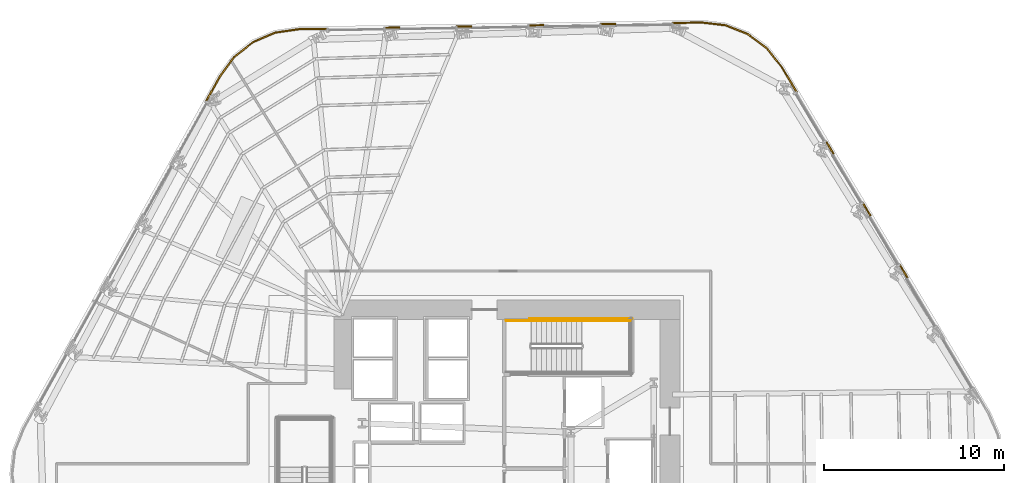
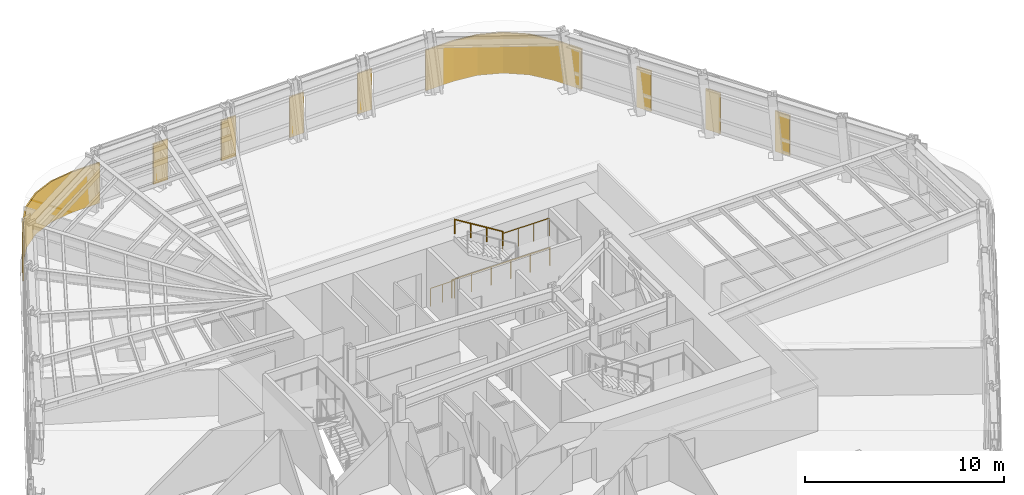
# One storey, part 14 of 15: 9 coverings, 4 railings.
"""IFC4 building model written with IfcOpenShell, lengths in metres."""

from ifc_helpers import new_model, si_unit, direction, frame, origin, origin_2d, place, context, subcontext, project, spatial, polyline, circle, outline, extrude, material, layer, layer_set, type_object, element, save


model = new_model("IFC4")

# Units and contexts
model_context = context("Model", 3, precision=1e-05, world=origin(), true_north=direction((0.0, 1.0)))
body_context = subcontext(model_context, "Body", "Model", "MODEL_VIEW")
ifc_project = project(units=[si_unit("LENGTHUNIT", "METRE"), si_unit("AREAUNIT", "SQUARE_METRE"), si_unit("VOLUMEUNIT", "CUBIC_METRE"), si_unit("PLANEANGLEUNIT", "RADIAN"), si_unit("MASSUNIT", "GRAM", prefix="KILO")], contexts=[model_context])

# Site, building, storey
site_placement = place(None, origin())
site = spatial("IfcSite", under=ifc_project, at=site_placement, CompositionType="ELEMENT")
building_placement = place(site_placement, origin())
building = spatial("IfcBuilding", under=site, at=building_placement, Name="Valkerne Bourse Tower", CompositionType="ELEMENT")
storey_placement = place(building_placement, frame((0.0, 0.0, 27.800048828125)))
storey = spatial("IfcBuildingStorey", under=building, at=storey_placement, Name="L06", CompositionType="ELEMENT", Elevation=27.800048828125)

# Coverings
ifc_material_1 = material(Name="Bronze Anodised Aluminium AA 6063-T6", Category="aluminium")
ifc_layer = layer(ifc_material_1, 0.06005859375)
ifc_layer_set = layer_set([ifc_layer], Name="Bronze Anodised Aluminium AA 6063-T6")
covering_type = type_object("IfcCoveringType", Name="COV-CRN-ALUM", PredefinedType="CLADDING", material=ifc_layer_set)
covering_1_placement = place(storey_placement, origin())
element("IfcCovering", 1, at=covering_1_placement, inside=storey, type_object=covering_type, Name="L06 Wind-Shaped Corner Aluminium Cladding 16", PredefinedType="CLADDING", context=body_context, shape_type="SweptSolid", body=[
    extrude(outline(polyline([(30.839599609375, 48.69140625), (31.63720703125, 49.765380859375), (32.680419921875, 50.59228515625), (33.902099609375, 51.120849609375), (35.2255859375, 51.31640625), (36.846435546875, 51.34326171875), (36.84765625, 51.26318359375), (35.23193359375, 51.236328125), (33.924072265625, 51.043212890625), (32.7216796875, 50.52294921875), (31.695068359375, 49.709228515625), (30.90673828125, 48.64794921875), (30.11962890625, 47.23681640625), (30.0498046875, 47.275634765625), (30.839599609375, 48.69140625)])), origin(), (0.0, 0.0, 1.0), 2.5),
])
covering_2_placement = place(storey_placement, origin())
element("IfcCovering", 2, at=covering_2_placement, inside=storey, type_object=covering_type, Name="L06 Wind-Shaped Corner Aluminium Cladding 17", PredefinedType="CLADDING", context=body_context, shape_type="SweptSolid", body=[
    extrude(outline(polyline([(40.841796875, 51.40966796875), (40.843017578125, 51.32958984375), (40.00341796875, 51.315673828125), (40.001953125, 51.395751953125), (40.841796875, 51.40966796875)])), origin(), (0.0, 0.0, 1.0), 2.5),
])
covering_3_placement = place(storey_placement, origin())
element("IfcCovering", 3, at=covering_3_placement, inside=storey, type_object=covering_type, Name="L06 Wind-Shaped Corner Aluminium Cladding 18", PredefinedType="CLADDING", context=body_context, shape_type="SweptSolid", body=[
    extrude(outline(polyline([(44.83740234375, 51.47607421875), (44.838623046875, 51.39599609375), (43.998779296875, 51.382080078125), (43.997314453125, 51.4619140625), (44.83740234375, 51.47607421875)])), origin(), (0.0, 0.0, 1.0), 2.5),
])
covering_4_placement = place(storey_placement, origin())
element("IfcCovering", 4, at=covering_4_placement, inside=storey, type_object=covering_type, Name="L06 Wind-Shaped Corner Aluminium Cladding 19", PredefinedType="CLADDING", context=body_context, shape_type="SweptSolid", body=[
    extrude(outline(polyline([(48.832763671875, 51.542236328125), (48.833984375, 51.46240234375), (47.994140625, 51.448486328125), (47.992919921875, 51.5283203125), (48.832763671875, 51.542236328125)])), origin(), (0.0, 0.0, 1.0), 2.5),
])
covering_5_placement = place(storey_placement, origin())
element("IfcCovering", 5, at=covering_5_placement, inside=storey, type_object=covering_type, Name="L06 Wind-Shaped Corner Aluminium Cladding 20", PredefinedType="CLADDING", context=body_context, shape_type="SweptSolid", body=[
    extrude(outline(polyline([(52.828125, 51.608642578125), (52.82958984375, 51.52880859375), (51.989501953125, 51.5146484375), (51.98828125, 51.5947265625), (52.828125, 51.608642578125)])), origin(), (0.0, 0.0, 1.0), 2.5),
])
covering_6_placement = place(storey_placement, origin())
element("IfcCovering", 6, at=covering_6_placement, inside=storey, type_object=covering_type, Name="L06 Wind-Shaped Corner Aluminium Cladding 21", PredefinedType="CLADDING", context=body_context, shape_type="SweptSolid", body=[
    extrude(outline(polyline([(57.616455078125, 51.688232421875), (58.9453125, 51.534423828125), (60.182861328125, 51.04443359375), (61.251708984375, 50.250732421875), (62.08251953125, 49.202392578125), (62.919921875, 47.800537109375), (62.851318359375, 47.759521484375), (62.0166015625, 49.156982421875), (61.195556640625, 50.19287109375), (60.143798828125, 50.97412109375), (58.92578125, 51.456298828125), (57.612548828125, 51.608154296875), (55.985107421875, 51.5810546875), (55.98388671875, 51.6611328125), (57.616455078125, 51.688232421875)])), origin(), (0.0, 0.0, 1.0), 2.5),
])
covering_7_placement = place(storey_placement, origin())
element("IfcCovering", 7, at=covering_7_placement, inside=storey, type_object=covering_type, Name="L06 Wind-Shaped Corner Aluminium Cladding 22", PredefinedType="CLADDING", context=body_context, shape_type="SweptSolid", body=[
    extrude(outline(polyline([(64.968994140625, 44.369873046875), (64.900146484375, 44.328857421875), (64.469482421875, 45.050048828125), (64.5380859375, 45.091064453125), (64.968994140625, 44.369873046875)])), origin(), (0.0, 0.0, 1.0), 2.5),
])
covering_8_placement = place(storey_placement, origin())
element("IfcCovering", 8, at=covering_8_placement, inside=storey, type_object=covering_type, Name="L06 Wind-Shaped Corner Aluminium Cladding 23", PredefinedType="CLADDING", context=body_context, shape_type="SweptSolid", body=[
    extrude(outline(polyline([(67.017822265625, 40.939208984375), (66.94921875, 40.898193359375), (66.5185546875, 41.619140625), (66.587158203125, 41.660400390625), (67.017822265625, 40.939208984375)])), origin(), (0.0, 0.0, 1.0), 2.5),
])
covering_9_placement = place(storey_placement, origin())
element("IfcCovering", 9, at=covering_9_placement, inside=storey, type_object=covering_type, Name="L06 Wind-Shaped Corner Aluminium Cladding 24", PredefinedType="CLADDING", context=body_context, shape_type="SweptSolid", body=[
    extrude(outline(polyline([(69.06689453125, 37.508544921875), (68.998291015625, 37.46728515625), (68.5673828125, 38.188720703125), (68.63623046875, 38.229736328125), (69.06689453125, 37.508544921875)])), origin(), (0.0, 0.0, 1.0), 2.5),
])

# Railings
ifc_material_2 = material(Name="Galvanised Painted Steel", Category="steel")
railing_type_1 = type_object("IfcRailingType", Name="RLG-ST-GUARD-1120", PredefinedType="GUARDRAIL", material=ifc_material_2)
railing_1_placement = place(storey_placement, frame((50.949951171875, 35.10009765625, 1.89990234375)))
element("IfcRailing", 10, at=railing_1_placement, inside=storey, type_object=railing_type_1, Name="L06 ST-2 stair guard 4", PredefinedType="GUARDRAIL", context=body_context, shape_type="SweptSolid", body=[
    extrude(circle(Radius=0.02392578125, at=origin_2d()), frame((0.0, 0.0, 1.09619140625), z_axis=(1.0, 0.0, 0.0), x_axis=(0.0, 1.0, 0.0)), (0.0, 0.0, 1.0), 2.699951171875),
    extrude(circle(Radius=0.02099609375, at=origin_2d()), origin(), (0.0, 0.0, 1.0), 1.072021484375),
    extrude(circle(Radius=0.02099609375, at=origin_2d()), frame((0.89990234375, 0.0, 0.0)), (0.0, 0.0, 1.0), 1.072021484375),
    extrude(circle(Radius=0.02099609375, at=origin_2d()), frame((1.800048828125, 0.0, 0.0)), (0.0, 0.0, 1.0), 1.072021484375),
    extrude(circle(Radius=0.02099609375, at=origin_2d()), frame((2.699951171875, 0.0, 0.0)), (0.0, 0.0, 1.0), 1.072021484375),
])
railing_2_placement = place(storey_placement, frame((46.75, 35.10009765625, 0.0)))
element("IfcRailing", 11, at=railing_2_placement, inside=storey, type_object=railing_type_1, Name="L06 ST-2 stair guard 9", PredefinedType="GUARDRAIL", context=body_context, shape_type="SweptSolid", body=[
    extrude(circle(Radius=0.02392578125, at=origin_2d()), frame((0.0, 0.0, 1.09619140625), z_axis=(1.0, 0.0, 0.0), x_axis=(0.0, 1.0, 0.0)), (0.0, 0.0, 1.0), 1.39990234375),
    extrude(circle(Radius=0.02099609375, at=origin_2d()), origin(), (0.0, 0.0, 1.0), 1.072021484375),
    extrude(circle(Radius=0.02099609375, at=origin_2d()), frame((0.699951171875, 0.0, 0.0)), (0.0, 0.0, 1.0), 1.072021484375),
    extrude(circle(Radius=0.02099609375, at=origin_2d()), frame((1.39990234375, 0.0, 0.0)), (0.0, 0.0, 1.0), 1.072021484375),
])
railing_3_placement = place(storey_placement, frame((48.050048828125, 35.199951171875, 0.0)))
element("IfcRailing", 12, at=railing_3_placement, inside=storey, type_object=railing_type_1, Name="L06 ST-2 stair guard 11", PredefinedType="GUARDRAIL", context=body_context, shape_type="SweptSolid", body=[
    extrude(circle(Radius=0.02392578125, at=origin_2d()), frame((0.0, 0.0, 1.09619140625), z_axis=(1.0, 0.0, 0.0), x_axis=(0.0, 1.0, 0.0)), (0.0, 0.0, 1.0), 5.699951171875),
    extrude(circle(Radius=0.02099609375, at=origin_2d()), origin(), (0.0, 0.0, 1.0), 1.072021484375),
    extrude(circle(Radius=0.02099609375, at=origin_2d()), frame((1.139892578125, 0.0, 0.0)), (0.0, 0.0, 1.0), 1.072021484375),
    extrude(circle(Radius=0.02099609375, at=origin_2d()), frame((2.280029296875, 0.0, 0.0)), (0.0, 0.0, 1.0), 1.072021484375),
    extrude(circle(Radius=0.02099609375, at=origin_2d()), frame((3.419921875, 0.0, 0.0)), (0.0, 0.0, 1.0), 1.072021484375),
    extrude(circle(Radius=0.02099609375, at=origin_2d()), frame((4.56005859375, 0.0, 0.0)), (0.0, 0.0, 1.0), 1.072021484375),
    extrude(circle(Radius=0.02099609375, at=origin_2d()), frame((5.699951171875, 0.0, 0.0)), (0.0, 0.0, 1.0), 1.072021484375),
])
ifc_material_3 = material(Name="Stainless Steel AISI 316", Category="steel")
railing_type_2 = type_object("IfcRailingType", Name="RLG-ST-HANDRAIL-900", PredefinedType="HANDRAIL", material=ifc_material_3)
railing_4_placement = place(storey_placement, frame((50.949951171875, 35.10009765625, 2.245361328125)))
element("IfcRailing", 13, at=railing_4_placement, inside=storey, type_object=railing_type_2, Name="L06 ST-2 stair handrail 2", PredefinedType="HANDRAIL", context=body_context, shape_type="SweptSolid", body=[
    extrude(circle(Radius=0.02392578125, at=origin_2d()), frame((0.0, 0.0, 0.8759765625), z_axis=(-0.851089632645, 0.0, 0.525020415988), x_axis=(0.0, -1.0, 0.0)), (0.0, 0.0, 1.0), 3.2900390625),
    extrude(circle(Radius=0.02099609375, at=origin_2d()), origin(), (0.0, 0.0, 1.0), 0.851806640625),
    extrude(circle(Radius=0.02099609375, at=origin_2d()), frame((-0.933349609375, 0.0, 0.57568359375)), (0.0, 0.0, 1.0), 0.851806640625),
    extrude(circle(Radius=0.02099609375, at=origin_2d()), frame((-1.86669921875, 0.0, 1.151611328125)), (0.0, 0.0, 1.0), 0.851806640625),
    extrude(circle(Radius=0.02099609375, at=origin_2d()), frame((-2.800048828125, 0.0, 1.727294921875)), (0.0, 0.0, 1.0), 0.851806640625),
])

save(model, "model.ifc")
